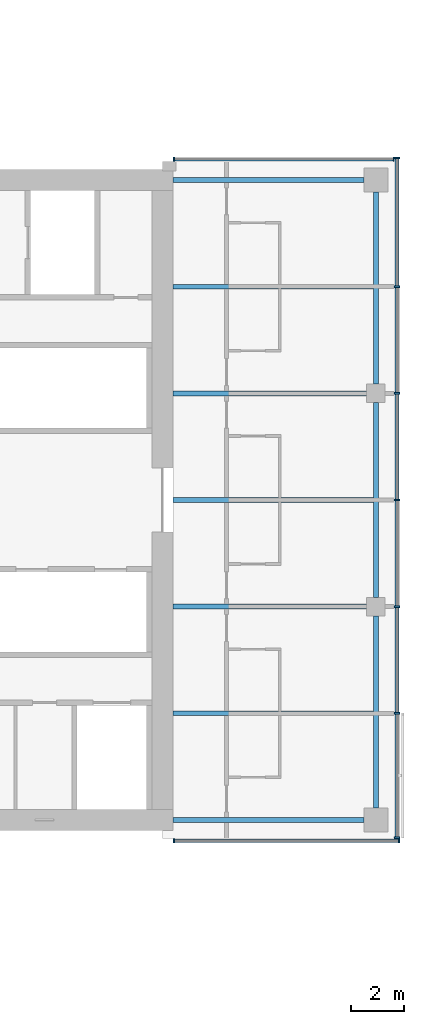
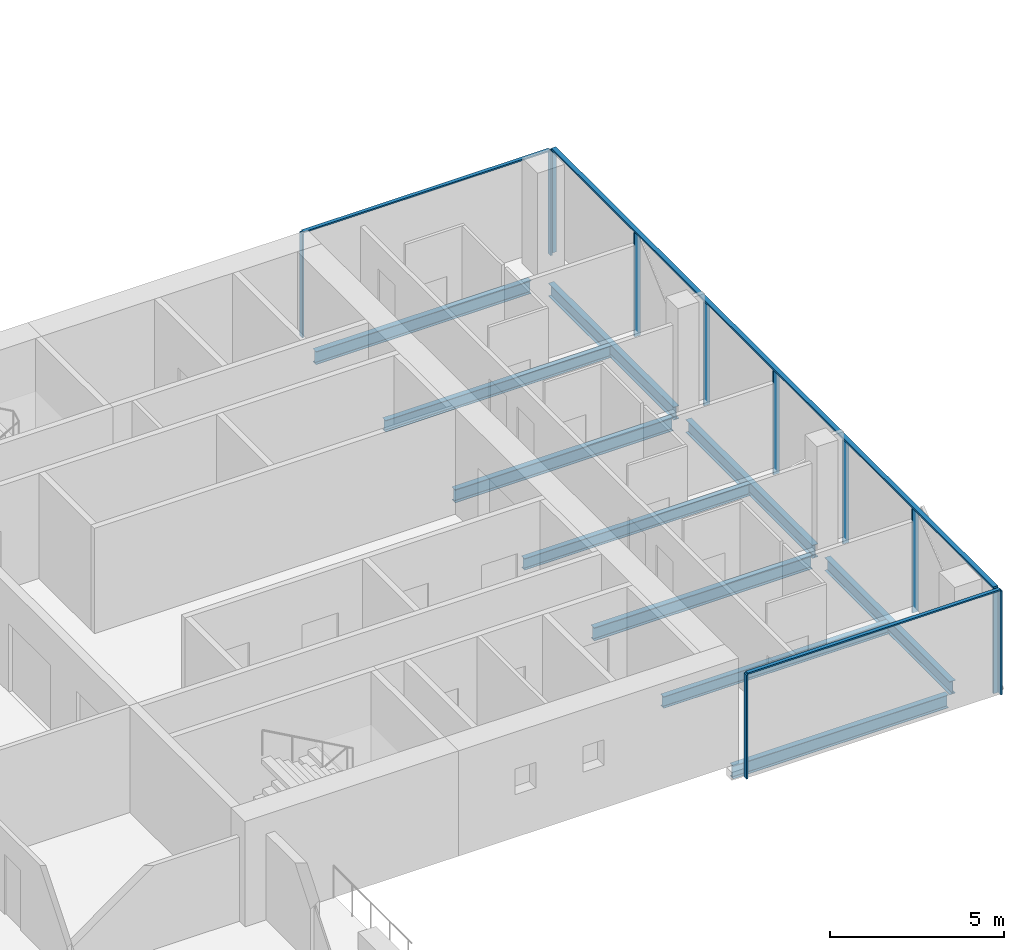
# One storey, part 11 of 27: 14 members, 10 beams, 3 elements without a shape of their own.
"""IFC4 building model written with IfcOpenShell, lengths in metres."""

from ifc_helpers import new_model, si_unit, direction, frame, origin, origin_2d, place, context, subcontext, project, spatial, rectangle, i_section, extrude, material, material_profile, profile_set, type_object, element, aggregate, save


model = new_model("IFC4")

# Units and contexts
model_context = context("Model", 3, precision=1e-05, world=origin(), true_north=direction((0.0, 1.0)))
body_context = subcontext(model_context, "Body", "Model", "MODEL_VIEW")
ifc_project = project(units=[si_unit("LENGTHUNIT", "METRE"), si_unit("AREAUNIT", "SQUARE_METRE"), si_unit("VOLUMEUNIT", "CUBIC_METRE"), si_unit("PLANEANGLEUNIT", "RADIAN"), si_unit("MASSUNIT", "GRAM", prefix="KILO")], contexts=[model_context])

# Site, building, storey
site_placement = place(None, origin())
site = spatial("IfcSite", under=ifc_project, at=site_placement, CompositionType="ELEMENT")
building_placement = place(site_placement, origin())
building = spatial("IfcBuilding", under=site, at=building_placement, Name="Crosswind Convention Tower", CompositionType="ELEMENT")
storey_placement = place(building_placement, frame((0.0, 0.0, 90.5)))
storey = spatial("IfcBuildingStorey", under=building, at=storey_placement, Name="L17", CompositionType="ELEMENT", Elevation=90.5)

# Beams
ifc_material_1 = material(Name="Steel S355", Category="steel")
ifc_material_profile_1 = material_profile(ifc_material_1, i_section(OverallWidth=0.1904296875, OverallDepth=0.457275390625, WebThickness=0.009033203125, FlangeThickness=0.014404296875, FilletRadius=0.01025390625, at=origin_2d()), Name="UB 457x191x75")
ifc_profile_set_1 = profile_set([ifc_material_profile_1], Name="Steel S355")
beam_type_1 = type_object("IfcBeamType", Name="Edge beam UB 457x191x75", PredefinedType="SPANDREL", material=ifc_profile_set_1)
for number, where, z_axis, x_axis, name in (
    (1, (153.39990234375, 88.0, -0.508544921875), (1.0, 0.0, 0.0), (0.0, 1.0, 0.0), "B17 L17 edge beam 24"),
    (2, (153.39990234375, 112.0, -0.508544921875), (1.0, 0.0, 0.0), (0.0, 1.0, 0.0), "B17 L17 edge beam 25"),
):
    element("IfcBeam", number, at=place(storey_placement, frame(where, z_axis=z_axis, x_axis=x_axis)), inside=storey, type_object=beam_type_1, Name=name, PredefinedType="SPANDREL", context=body_context, shape_type="SweptSolid", body=[
        extrude(i_section(OverallWidth=0.1904296875, OverallDepth=0.457275390625, WebThickness=0.009033203125, FlangeThickness=0.014404296875, FilletRadius=0.01025390625, at=origin_2d()), origin(), (0.0, 0.0, 1.0), 7.150146484375),
    ])
beam_1_placement = place(storey_placement, frame((161.0, 88.449951171875, -0.508544921875), z_axis=(0.0, 1.0, 0.0), x_axis=(-1.0, 0.0, 0.0)))
element("IfcBeam", 3, at=beam_1_placement, inside=storey, type_object=beam_type_1, Name="B17 L17 edge beam 26", PredefinedType="SPANDREL", context=body_context, shape_type="SweptSolid", body=[
    extrude(i_section(OverallWidth=0.1904296875, OverallDepth=0.457275390625, WebThickness=0.009033203125, FlangeThickness=0.014404296875, FilletRadius=0.01025390625, at=origin_2d()), origin(), (0.0, 0.0, 1.0), 7.199951171875),
])
beam_2_placement = place(storey_placement, frame((161.0, 96.35009765625, -0.508544921875), z_axis=(0.0, 1.0, 0.0), x_axis=(-1.0, 0.0, 0.0)))
element("IfcBeam", 4, at=beam_2_placement, inside=storey, type_object=beam_type_1, Name="B17 L17 edge beam 27", PredefinedType="SPANDREL", context=body_context, shape_type="SweptSolid", body=[
    extrude(i_section(OverallWidth=0.1904296875, OverallDepth=0.457275390625, WebThickness=0.009033203125, FlangeThickness=0.014404296875, FilletRadius=0.01025390625, at=origin_2d()), origin(), (0.0, 0.0, 1.0), 7.2998046875),
])
beam_3_placement = place(storey_placement, frame((161.0, 104.35009765625, -0.508544921875), z_axis=(0.0, 1.0, 0.0), x_axis=(-1.0, 0.0, 0.0)))
element("IfcBeam", 5, at=beam_3_placement, inside=storey, type_object=beam_type_1, Name="B17 L17 edge beam 28", PredefinedType="SPANDREL", context=body_context, shape_type="SweptSolid", body=[
    extrude(i_section(OverallWidth=0.1904296875, OverallDepth=0.457275390625, WebThickness=0.009033203125, FlangeThickness=0.014404296875, FilletRadius=0.01025390625, at=origin_2d()), origin(), (0.0, 0.0, 1.0), 7.199951171875),
])
ifc_material_profile_2 = material_profile(ifc_material_1, i_section(OverallWidth=0.19189453125, OverallDepth=0.463623046875, WebThickness=0.010498046875, FlangeThickness=0.017578125, FilletRadius=0.01025390625, at=origin_2d()), Name="UB 457x191x90")
ifc_profile_set_2 = profile_set([ifc_material_profile_2], Name="Steel S355")
beam_type_2 = type_object("IfcBeamType", Name="Girder at core wall UB 457x191x90", PredefinedType="BEAM", material=ifc_profile_set_2)
for number, where, z_axis, x_axis, name in (
    (6, (153.39990234375, 96.0, -0.51171875), (1.0, 0.0, 0.0), (0.0, 1.0, 0.0), "B24 L17 girder at core wall 11"),
    (7, (153.39990234375, 104.0, -0.51171875), (1.0, 0.0, 0.0), (0.0, 1.0, 0.0), "B24 L17 girder at core wall 12"),
):
    element("IfcBeam", number, at=place(storey_placement, frame(where, z_axis=z_axis, x_axis=x_axis)), inside=storey, type_object=beam_type_2, Name=name, PredefinedType="BEAM", context=body_context, shape_type="SweptSolid", body=[
        extrude(i_section(OverallWidth=0.19189453125, OverallDepth=0.463623046875, WebThickness=0.010498046875, FlangeThickness=0.017578125, FilletRadius=0.01025390625, at=origin_2d()), origin(), (0.0, 0.0, 1.0), 7.25),
    ])

# Curtain wall, members
ifc_material_2 = material(Name="Aluminium unitised curtain wall", Category="aluminium")
curtain_wall_type_1 = type_object("IfcCurtainWallType", Name="CORE END SLOT WALL 160", PredefinedType="USERDEFINED", material=ifc_material_2)
curtain_wall_1_placement = place(storey_placement, origin())
curtain_wall_1 = element("IfcCurtainWall", 8, at=curtain_wall_1_placement, inside=storey, type_object=curtain_wall_type_1, Name="CW6 L17 E-N.1-1 slot", ObjectType="UNITISED", PredefinedType="USERDEFINED")
ifc_material_3 = material(Name="Aluminium mullion", Category="aluminium")
ifc_material_profile_3 = material_profile(ifc_material_3, rectangle(XDim=0.159912109375, YDim=0.050048828125, at=origin_2d()), Name="AL 160X50")
ifc_profile_set_3 = profile_set([ifc_material_profile_3], Name="Aluminium mullion")
member_type_1 = type_object("IfcMemberType", Name="MULLION 50X160", PredefinedType="MULLION", material=ifc_profile_set_3)
member_1_placement = place(storey_placement, frame((161.675048828125, 112.780029296875, -0.280029296875), z_axis=(0.0, 0.0, 1.0), x_axis=(0.0, 1.0, 0.0)))
member_1 = element("IfcMember", 9, at=member_1_placement, type_object=member_type_1, Name="CW6 mullion 1", PredefinedType="MULLION", context=body_context, shape_type="SweptSolid", body=[
    extrude(rectangle(XDim=0.159912109375, YDim=0.050048828125, at=origin_2d()), origin(), (0.0, 0.0, 1.0), 3.650146484375),
])
member_2_placement = place(storey_placement, frame((153.425048828125, 112.780029296875, -0.280029296875), z_axis=(0.0, 0.0, 1.0), x_axis=(0.0, 1.0, 0.0)))
member_2 = element("IfcMember", 10, at=member_2_placement, type_object=member_type_1, Name="CW6 mullion 2", PredefinedType="MULLION", context=body_context, shape_type="SweptSolid", body=[
    extrude(rectangle(XDim=0.159912109375, YDim=0.050048828125, at=origin_2d()), origin(), (0.0, 0.0, 1.0), 3.650146484375),
])

curtain_wall_2_placement = place(storey_placement, origin())
curtain_wall_2 = element("IfcCurtainWall", 11, at=curtain_wall_2_placement, inside=storey, type_object=curtain_wall_type_1, Name="CW6 L17 E-S.2-1 slot", ObjectType="UNITISED", PredefinedType="USERDEFINED")
member_3_placement = place(storey_placement, frame((153.425048828125, 87.219970703125, -0.280029296875), z_axis=(0.0, 0.0, 1.0), x_axis=(0.0, -1.0, 0.0)))
member_3 = element("IfcMember", 12, at=member_3_placement, type_object=member_type_1, Name="CW6 mullion 1", PredefinedType="MULLION", context=body_context, shape_type="SweptSolid", body=[
    extrude(rectangle(XDim=0.159912109375, YDim=0.050048828125, at=origin_2d()), origin(), (0.0, 0.0, 1.0), 3.650146484375),
])
member_4_placement = place(storey_placement, frame((161.875, 87.219970703125, -0.280029296875), z_axis=(0.0, 0.0, 1.0), x_axis=(0.0, -1.0, 0.0)))
member_4 = element("IfcMember", 13, at=member_4_placement, type_object=member_type_1, Name="CW6 mullion 2", PredefinedType="MULLION", context=body_context, shape_type="SweptSolid", body=[
    extrude(rectangle(XDim=0.159912109375, YDim=0.050048828125, at=origin_2d()), origin(), (0.0, 0.0, 1.0), 3.650146484375),
])

curtain_wall_type_2 = type_object("IfcCurtainWallType", Name="HOTEL UNITISED WALL 200", PredefinedType="USERDEFINED", material=ifc_material_2)
curtain_wall_3_placement = place(storey_placement, origin())
curtain_wall_3 = element("IfcCurtainWall", 14, at=curtain_wall_3_placement, inside=storey, type_object=curtain_wall_type_2, Name="CW2 L17 E-TIP 1", ObjectType="UNITISED", PredefinedType="USERDEFINED")
ifc_material_profile_4 = material_profile(ifc_material_3, rectangle(XDim=0.199951171875, YDim=0.06494140625, at=origin_2d()), Name="AL 200X65")
ifc_profile_set_4 = profile_set([ifc_material_profile_4], Name="Aluminium mullion")
member_type_2 = type_object("IfcMemberType", Name="MULLION 65X200", PredefinedType="MULLION", material=ifc_profile_set_4)
member_5_placement = place(storey_placement, frame((161.800048828125, 87.33251953125, -0.280029296875), z_axis=(0.0, 0.0, 1.0), x_axis=(1.0, 0.0, 0.0)))
member_5 = element("IfcMember", 15, at=member_5_placement, type_object=member_type_2, Name="CW2 mullion 1", PredefinedType="MULLION", context=body_context, shape_type="SweptSolid", body=[
    extrude(rectangle(XDim=0.199951171875, YDim=0.06494140625, at=origin_2d()), origin(), (0.0, 0.0, 1.0), 3.635009765625),
])
member_6_placement = place(storey_placement, frame((161.800048828125, 92.0, -0.280029296875), z_axis=(0.0, 0.0, 1.0), x_axis=(1.0, 0.0, 0.0)))
member_6 = element("IfcMember", 16, at=member_6_placement, type_object=member_type_2, Name="CW2 mullion 2", PredefinedType="MULLION", context=body_context, shape_type="SweptSolid", body=[
    extrude(rectangle(XDim=0.199951171875, YDim=0.06494140625, at=origin_2d()), origin(), (0.0, 0.0, 1.0), 3.635009765625),
])
member_7_placement = place(storey_placement, frame((161.800048828125, 96.0, -0.280029296875), z_axis=(0.0, 0.0, 1.0), x_axis=(1.0, 0.0, 0.0)))
member_7 = element("IfcMember", 17, at=member_7_placement, type_object=member_type_2, Name="CW2 mullion 3", PredefinedType="MULLION", context=body_context, shape_type="SweptSolid", body=[
    extrude(rectangle(XDim=0.199951171875, YDim=0.06494140625, at=origin_2d()), origin(), (0.0, 0.0, 1.0), 3.635009765625),
])
member_8_placement = place(storey_placement, frame((161.800048828125, 100.0, -0.280029296875), z_axis=(0.0, 0.0, 1.0), x_axis=(1.0, 0.0, 0.0)))
member_8 = element("IfcMember", 18, at=member_8_placement, type_object=member_type_2, Name="CW2 mullion 4", PredefinedType="MULLION", context=body_context, shape_type="SweptSolid", body=[
    extrude(rectangle(XDim=0.199951171875, YDim=0.06494140625, at=origin_2d()), origin(), (0.0, 0.0, 1.0), 3.635009765625),
])
member_9_placement = place(storey_placement, frame((161.800048828125, 104.0, -0.280029296875), z_axis=(0.0, 0.0, 1.0), x_axis=(1.0, 0.0, 0.0)))
member_9 = element("IfcMember", 19, at=member_9_placement, type_object=member_type_2, Name="CW2 mullion 5", PredefinedType="MULLION", context=body_context, shape_type="SweptSolid", body=[
    extrude(rectangle(XDim=0.199951171875, YDim=0.06494140625, at=origin_2d()), origin(), (0.0, 0.0, 1.0), 3.635009765625),
])
member_10_placement = place(storey_placement, frame((161.800048828125, 108.0, -0.280029296875), z_axis=(0.0, 0.0, 1.0), x_axis=(1.0, 0.0, 0.0)))
member_10 = element("IfcMember", 20, at=member_10_placement, type_object=member_type_2, Name="CW2 mullion 6", PredefinedType="MULLION", context=body_context, shape_type="SweptSolid", body=[
    extrude(rectangle(XDim=0.199951171875, YDim=0.06494140625, at=origin_2d()), origin(), (0.0, 0.0, 1.0), 3.635009765625),
])
member_11_placement = place(storey_placement, frame((161.800048828125, 112.827392578125, -0.280029296875), z_axis=(0.0, 0.0, 1.0), x_axis=(1.0, 0.0, 0.0)))
member_11 = element("IfcMember", 21, at=member_11_placement, type_object=member_type_2, Name="CW2 mullion 7", PredefinedType="MULLION", context=body_context, shape_type="SweptSolid", body=[
    extrude(rectangle(XDim=0.199951171875, YDim=0.06494140625, at=origin_2d()), origin(), (0.0, 0.0, 1.0), 3.635009765625),
])

# Beams
ifc_material_profile_5 = material_profile(ifc_material_1, i_section(OverallWidth=0.177734375, OverallDepth=0.406494140625, WebThickness=0.0078125, FlangeThickness=0.0126953125, FilletRadius=0.01025390625, at=origin_2d()), Name="UB 406x178x60")
ifc_profile_set_5 = profile_set([ifc_material_profile_5], Name="Steel S355")
beam_type_3 = type_object("IfcBeamType", Name="Secondary beam UB 406x178x60", PredefinedType="JOIST", material=ifc_profile_set_5)
for number, where, z_axis, x_axis, name in (
    (22, (153.39990234375, 92.0, -0.483154296875), (1.0, 0.0, 0.0), (0.0, 1.0, 0.0), "B10 L17 secondary beam 31"),
    (23, (153.39990234375, 100.0, -0.483154296875), (1.0, 0.0, 0.0), (0.0, 1.0, 0.0), "B10 L17 secondary beam 32"),
    (24, (153.39990234375, 108.0, -0.483154296875), (1.0, 0.0, 0.0), (0.0, 1.0, 0.0), "B10 L17 secondary beam 33"),
):
    element("IfcBeam", number, at=place(storey_placement, frame(where, z_axis=z_axis, x_axis=x_axis)), inside=storey, type_object=beam_type_3, Name=name, PredefinedType="JOIST", context=body_context, shape_type="SweptSolid", body=[
        extrude(i_section(OverallWidth=0.177734375, OverallDepth=0.406494140625, WebThickness=0.0078125, FlangeThickness=0.0126953125, FilletRadius=0.01025390625, at=origin_2d()), origin(), (0.0, 0.0, 1.0), 7.5048828125),
    ])

# Member
ifc_material_4 = material(Name="Aluminium transom", Category="aluminium")
ifc_material_profile_6 = material_profile(ifc_material_4, rectangle(XDim=0.1201171875, YDim=0.050048828125, at=origin_2d()), Name="AL 120X50")
ifc_profile_set_6 = profile_set([ifc_material_profile_6], Name="Aluminium transom")
member_type_3 = type_object("IfcMemberType", Name="TRANSOM 50X120", PredefinedType="USERDEFINED", material=ifc_profile_set_6)
member_12_placement = place(storey_placement, frame((161.64990234375, 112.780029296875, 3.39501953125), z_axis=(-1.0, 0.0, 0.0), x_axis=(0.0, -1.0, 0.0)))
member_12 = element("IfcMember", 25, at=member_12_placement, type_object=member_type_3, Name="CW6 transom", ObjectType="TRANSOM", PredefinedType="USERDEFINED", context=body_context, shape_type="SweptSolid", body=[
    extrude(rectangle(XDim=0.1201171875, YDim=0.050048828125, at=origin_2d()), origin(), (0.0, 0.0, 1.0), 8.199951171875),
])

aggregate(curtain_wall_1, [member_1, member_2, member_12])

member_13_placement = place(storey_placement, frame((153.449951171875, 87.219970703125, 3.39501953125), z_axis=(1.0, 0.0, 0.0), x_axis=(0.0, 1.0, 0.0)))
member_13 = element("IfcMember", 26, at=member_13_placement, type_object=member_type_3, Name="CW6 transom", ObjectType="TRANSOM", PredefinedType="USERDEFINED", context=body_context, shape_type="SweptSolid", body=[
    extrude(rectangle(XDim=0.1201171875, YDim=0.050048828125, at=origin_2d()), origin(), (0.0, 0.0, 1.0), 8.400146484375),
])

aggregate(curtain_wall_2, [member_3, member_4, member_13])

ifc_material_profile_7 = material_profile(ifc_material_4, rectangle(XDim=0.14990234375, YDim=0.06494140625, at=origin_2d()), Name="AL 150X65")
ifc_profile_set_7 = profile_set([ifc_material_profile_7], Name="Aluminium transom")
member_type_4 = type_object("IfcMemberType", Name="TRANSOM 65X150", PredefinedType="USERDEFINED", material=ifc_profile_set_7)
member_14_placement = place(storey_placement, frame((161.800048828125, 87.364990234375, 3.387451171875), z_axis=(0.0, 1.0, 0.0), x_axis=(-1.0, 0.0, 0.0)))
member_14 = element("IfcMember", 27, at=member_14_placement, type_object=member_type_4, Name="CW2 transom", ObjectType="TRANSOM", PredefinedType="USERDEFINED", context=body_context, shape_type="SweptSolid", body=[
    extrude(rectangle(XDim=0.14990234375, YDim=0.06494140625, at=origin_2d()), origin(), (0.0, 0.0, 1.0), 25.429931640625),
])

aggregate(curtain_wall_3, [member_5, member_6, member_7, member_8, member_9, member_10, member_11, member_14])

save(model, "model.ifc")
